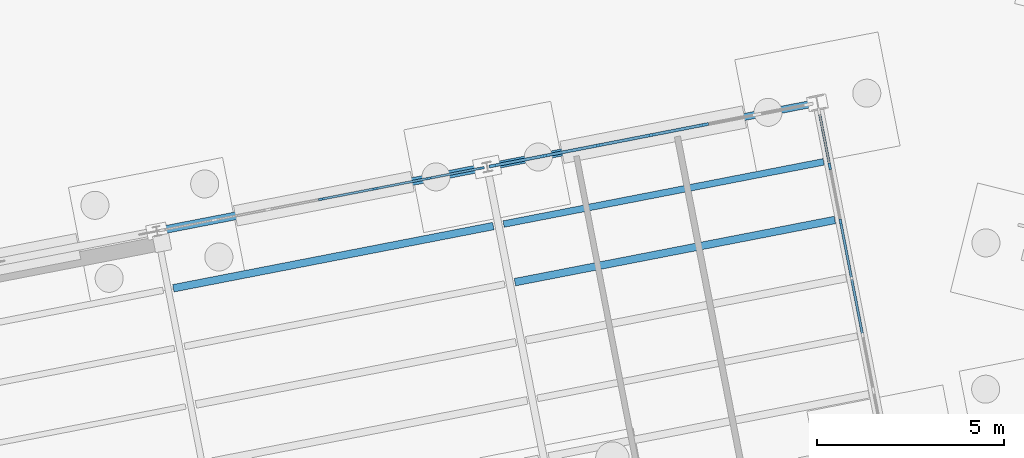
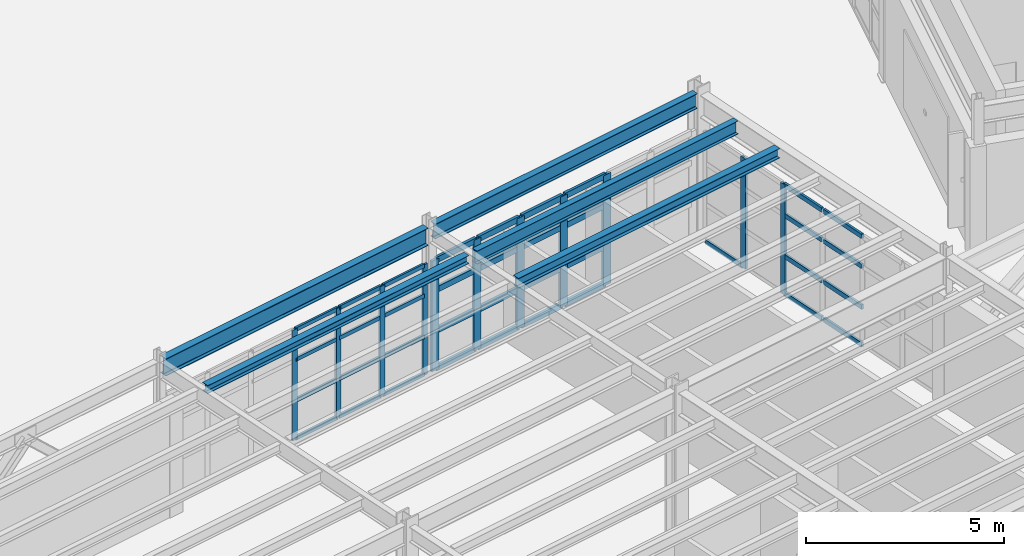
# One storey, part 38 of 108: 48 members, 5 beams, 3 elements without a shape of their own.
"""IFC4 building model written with IfcOpenShell, lengths in metres."""

from ifc_helpers import new_model, si_unit, direction, frame, origin, origin_2d, place, context, subcontext, project, spatial, rectangle, i_section, extrude, material, layer, layer_set, material_profile, profile_set, type_object, element, aggregate, save


model = new_model("IFC4")

# Units and contexts
model_context = context("Model", 3, precision=1e-05, world=origin(), true_north=direction((0.0, 1.0)))
body_context = subcontext(model_context, "Body", "Model", "MODEL_VIEW")
ifc_project = project(units=[si_unit("LENGTHUNIT", "METRE"), si_unit("AREAUNIT", "SQUARE_METRE"), si_unit("VOLUMEUNIT", "CUBIC_METRE"), si_unit("PLANEANGLEUNIT", "RADIAN"), si_unit("MASSUNIT", "GRAM", prefix="KILO")], contexts=[model_context])

# Site, building, storey
site_placement = place(None, origin())
site = spatial("IfcSite", under=ifc_project, at=site_placement, CompositionType="ELEMENT")
building_placement = place(site_placement, origin())
building = spatial("IfcBuilding", under=site, at=building_placement, Name="Vireo Bluff Cable Station", CompositionType="ELEMENT")
storey_placement = place(building_placement, origin())
storey = spatial("IfcBuildingStorey", under=building, at=storey_placement, Name="L00", CompositionType="ELEMENT", Elevation=0.0)

# Curtain wall, members
ifc_material_1 = material(Name="Anodized Aluminium 6063-T6", Category="aluminium")
ifc_layer_1 = layer(ifc_material_1, 0.179931640625, Name="Anodized Aluminium 6063-T6")
ifc_layer_set_1 = layer_set([ifc_layer_1], Name="Anodized Aluminium 6063-T6")
curtain_wall_type_1 = type_object("IfcCurtainWallType", Name="CW-UNIT-1650", PredefinedType="USERDEFINED", material=ifc_layer_set_1)
curtain_wall_1_placement = place(storey_placement, origin())
curtain_wall_1 = element("IfcCurtainWall", 1, at=curtain_wall_1_placement, inside=storey, type_object=curtain_wall_type_1, Name="V5 L00 east curtain wall CW-116", ObjectType="UNITISED CURTAIN WALL", PredefinedType="USERDEFINED")
ifc_material_profile_1 = material_profile(ifc_material_1, rectangle(XDim=0.06494140625, YDim=0.179931640625, at=origin_2d()), Name="ALU-M-65X180")
ifc_profile_set_1 = profile_set([ifc_material_profile_1], Name="Anodized Aluminium 6063-T6")
member_type_1 = type_object("IfcMemberType", Name="CWM-01", PredefinedType="MULLION", material=ifc_profile_set_1)
member_1_placement = place(storey_placement, frame((48.565185546875, 40.364990234375, 0.0), z_axis=(0.0, 0.0, 1.0), x_axis=(0.981627180714, 0.190809009442, 0.0)))
member_1 = element("IfcMember", 2, at=member_1_placement, type_object=member_type_1, Name="CW-116 mullion 2", PredefinedType="MULLION", context=body_context, shape_type="SweptSolid", body=[
    extrude(rectangle(XDim=0.06494140625, YDim=0.179931640625, at=origin_2d()), origin(), (0.0, 0.0, 1.0), 3.39990234375),
])
member_2_placement = place(storey_placement, frame((48.856689453125, 38.865234375, 0.0), z_axis=(0.0, 0.0, 1.0), x_axis=(0.981627180714, 0.190809009442, 0.0)))
member_2 = element("IfcMember", 3, at=member_2_placement, type_object=member_type_1, Name="CW-116 mullion 3", PredefinedType="MULLION", context=body_context, shape_type="SweptSolid", body=[
    extrude(rectangle(XDim=0.06494140625, YDim=0.179931640625, at=origin_2d()), origin(), (0.0, 0.0, 1.0), 3.39990234375),
])

ifc_layer_2 = layer(ifc_material_1, 0.179931640625, Name="Anodized Aluminium 6063-T6")
ifc_layer_set_2 = layer_set([ifc_layer_2], Name="Anodized Aluminium 6063-T6")
curtain_wall_type_2 = type_object("IfcCurtainWallType", Name="CW-UNIT-1400", PredefinedType="USERDEFINED", material=ifc_layer_set_2)
curtain_wall_2_placement = place(storey_placement, origin())
curtain_wall_2 = element("IfcCurtainWall", 4, at=curtain_wall_2_placement, inside=storey, type_object=curtain_wall_type_2, Name="V5 L00 north curtain wall CW-114", ObjectType="UNITISED CURTAIN WALL", PredefinedType="USERDEFINED")
ifc_material_profile_2 = material_profile(ifc_material_1, rectangle(XDim=0.06005859375, YDim=0.159912109375, at=origin_2d()), Name="ALU-M-60X160")
ifc_profile_set_2 = profile_set([ifc_material_profile_2], Name="Anodized Aluminium 6063-T6")
member_type_2 = type_object("IfcMemberType", Name="CWM-03", PredefinedType="MULLION", material=ifc_profile_set_2)
member_3_placement = place(storey_placement, frame((34.97021484375, 39.484375, 0.0), z_axis=(0.0, 0.0, 1.0), x_axis=(-0.190808969643, 0.98162718845, 0.0)))
member_3 = element("IfcMember", 5, at=member_3_placement, type_object=member_type_2, Name="CW-114 mullion 4", PredefinedType="MULLION", context=body_context, shape_type="SweptSolid", body=[
    extrude(rectangle(XDim=0.06005859375, YDim=0.159912109375, at=origin_2d()), origin(), (0.0, 0.0, 1.0), 3.39990234375),
])
member_4_placement = place(storey_placement, frame((36.404296875, 39.76318359375, 0.0), z_axis=(0.0, 0.0, 1.0), x_axis=(-0.190808969643, 0.98162718845, 0.0)))
member_4 = element("IfcMember", 6, at=member_4_placement, type_object=member_type_2, Name="CW-114 mullion 5", PredefinedType="MULLION", context=body_context, shape_type="SweptSolid", body=[
    extrude(rectangle(XDim=0.06005859375, YDim=0.159912109375, at=origin_2d()), origin(), (0.0, 0.0, 1.0), 3.39990234375),
])
member_5_placement = place(storey_placement, frame((37.83837890625, 40.041748046875, 0.0), z_axis=(0.0, 0.0, 1.0), x_axis=(-0.190808969643, 0.98162718845, 0.0)))
member_5 = element("IfcMember", 7, at=member_5_placement, type_object=member_type_2, Name="CW-114 mullion 6", PredefinedType="MULLION", context=body_context, shape_type="SweptSolid", body=[
    extrude(rectangle(XDim=0.06005859375, YDim=0.159912109375, at=origin_2d()), origin(), (0.0, 0.0, 1.0), 3.39990234375),
])
member_6_placement = place(storey_placement, frame((39.242919921875, 40.31494140625, 0.0), z_axis=(0.0, 0.0, 1.0), x_axis=(-0.190808969643, 0.98162718845, 0.0)))
member_6 = element("IfcMember", 8, at=member_6_placement, type_object=member_type_2, Name="CW-114 mullion 7", PredefinedType="MULLION", context=body_context, shape_type="SweptSolid", body=[
    extrude(rectangle(XDim=0.06005859375, YDim=0.159912109375, at=origin_2d()), origin(), (0.0, 0.0, 1.0), 3.39990234375),
])

ifc_layer_3 = layer(ifc_material_1, 0.179931640625, Name="Anodized Aluminium 6063-T6")
ifc_layer_set_3 = layer_set([ifc_layer_3], Name="Anodized Aluminium 6063-T6")
curtain_wall_type_3 = type_object("IfcCurtainWallType", Name="CW-UNIT-1500", PredefinedType="USERDEFINED", material=ifc_layer_set_3)
curtain_wall_3_placement = place(storey_placement, origin())
curtain_wall_3 = element("IfcCurtainWall", 9, at=curtain_wall_3_placement, inside=storey, type_object=curtain_wall_type_3, Name="V5 L00 north curtain wall CW-115", ObjectType="UNITISED CURTAIN WALL", PredefinedType="USERDEFINED")
ifc_material_profile_3 = material_profile(ifc_material_1, rectangle(XDim=0.080078125, YDim=0.239990234375, at=origin_2d()), Name="ALU-M-80X240")
ifc_profile_set_3 = profile_set([ifc_material_profile_3], Name="Anodized Aluminium 6063-T6")
member_type_3 = type_object("IfcMemberType", Name="CWM-04", PredefinedType="MULLION", material=ifc_profile_set_3)
member_7_placement = place(storey_placement, frame((39.56787109375, 40.3779296875, 0.0), z_axis=(0.0, 0.0, 1.0), x_axis=(-0.190809061234, 0.981627170646, 0.0)))
member_7 = element("IfcMember", 10, at=member_7_placement, type_object=member_type_3, Name="CW-115 mullion 1", PredefinedType="MULLION", context=body_context, shape_type="SweptSolid", body=[
    extrude(rectangle(XDim=0.080078125, YDim=0.239990234375, at=origin_2d()), origin(), (0.0, 0.0, 1.0), 3.39990234375),
])
member_8_placement = place(storey_placement, frame((40.946533203125, 40.64599609375, 0.0), z_axis=(0.0, 0.0, 1.0), x_axis=(-0.190809061234, 0.981627170646, 0.0)))
member_8 = element("IfcMember", 11, at=member_8_placement, type_object=member_type_3, Name="CW-115 mullion 2", PredefinedType="MULLION", context=body_context, shape_type="SweptSolid", body=[
    extrude(rectangle(XDim=0.080078125, YDim=0.239990234375, at=origin_2d()), origin(), (0.0, 0.0, 1.0), 3.39990234375),
])
member_9_placement = place(storey_placement, frame((42.364501953125, 40.921630859375, 0.0), z_axis=(0.0, 0.0, 1.0), x_axis=(-0.190809061234, 0.981627170646, 0.0)))
member_9 = element("IfcMember", 12, at=member_9_placement, type_object=member_type_3, Name="CW-115 mullion 3", PredefinedType="MULLION", context=body_context, shape_type="SweptSolid", body=[
    extrude(rectangle(XDim=0.080078125, YDim=0.239990234375, at=origin_2d()), origin(), (0.0, 0.0, 1.0), 3.39990234375),
])
member_10_placement = place(storey_placement, frame((43.782470703125, 41.197265625, 0.0), z_axis=(0.0, 0.0, 1.0), x_axis=(-0.190809061234, 0.981627170646, 0.0)))
member_10 = element("IfcMember", 13, at=member_10_placement, type_object=member_type_3, Name="CW-115 mullion 4", PredefinedType="MULLION", context=body_context, shape_type="SweptSolid", body=[
    extrude(rectangle(XDim=0.080078125, YDim=0.239990234375, at=origin_2d()), origin(), (0.0, 0.0, 1.0), 3.39990234375),
])
member_11_placement = place(storey_placement, frame((45.200439453125, 41.472900390625, 0.0), z_axis=(0.0, 0.0, 1.0), x_axis=(-0.190809061234, 0.981627170646, 0.0)))
member_11 = element("IfcMember", 14, at=member_11_placement, type_object=member_type_3, Name="CW-115 mullion 5", PredefinedType="MULLION", context=body_context, shape_type="SweptSolid", body=[
    extrude(rectangle(XDim=0.080078125, YDim=0.239990234375, at=origin_2d()), origin(), (0.0, 0.0, 1.0), 3.39990234375),
])

# Member
ifc_material_profile_4 = material_profile(ifc_material_1, rectangle(XDim=0.06494140625, YDim=0.139892578125, at=origin_2d()), Name="ALU-T-65X140")
ifc_profile_set_4 = profile_set([ifc_material_profile_4], Name="Anodized Aluminium 6063-T6")
member_type_4 = type_object("IfcMemberType", Name="CWT-01", PredefinedType="USERDEFINED", material=ifc_profile_set_4)
member_12_placement = place(storey_placement, frame((48.2861328125, 41.80126953125, 0.032470703125), z_axis=(0.190796573453, -0.981629597943, 0.0), x_axis=(0.981629597943, 0.190796573453, 0.0)))
member_12 = element("IfcMember", 15, at=member_12_placement, type_object=member_type_4, Name="CW-116 transom 1.1", ObjectType="TRANSOM", PredefinedType="USERDEFINED", context=body_context, shape_type="SweptSolid", body=[
    extrude(rectangle(XDim=0.06494140625, YDim=0.139892578125, at=origin_2d()), origin(), (0.0, 0.0, 1.0), 1.4306640625),
])

member_13_placement = place(storey_placement, frame((48.863037109375, 38.833251953125, 0.032470703125), z_axis=(0.190753518283, -0.981637965475, 0.0), x_axis=(0.981637965475, 0.190753518283, 0.0)))
member_13 = element("IfcMember", 16, at=member_13_placement, type_object=member_type_4, Name="CW-116 transom 3.1", ObjectType="TRANSOM", PredefinedType="USERDEFINED", context=body_context, shape_type="SweptSolid", body=[
    extrude(rectangle(XDim=0.06494140625, YDim=0.139892578125, at=origin_2d()), origin(), (0.0, 0.0, 1.0), 1.462890625),
])

member_14_placement = place(storey_placement, frame((48.863037109375, 38.833251953125, 1.18994140625), z_axis=(0.190753518283, -0.981637965475, 0.0), x_axis=(0.981637965475, 0.190753518283, 0.0)))
member_14 = element("IfcMember", 17, at=member_14_placement, type_object=member_type_4, Name="CW-116 transom 3.2", ObjectType="TRANSOM", PredefinedType="USERDEFINED", context=body_context, shape_type="SweptSolid", body=[
    extrude(rectangle(XDim=0.06494140625, YDim=0.139892578125, at=origin_2d()), origin(), (0.0, 0.0, 1.0), 1.462890625),
])

member_15_placement = place(storey_placement, frame((48.863037109375, 38.833251953125, 2.447998046875), z_axis=(0.190753518283, -0.981637965475, 0.0), x_axis=(0.981637965475, 0.190753518283, 0.0)))
member_15 = element("IfcMember", 18, at=member_15_placement, type_object=member_type_4, Name="CW-116 transom 3.3", ObjectType="TRANSOM", PredefinedType="USERDEFINED", context=body_context, shape_type="SweptSolid", body=[
    extrude(rectangle(XDim=0.06494140625, YDim=0.139892578125, at=origin_2d()), origin(), (0.0, 0.0, 1.0), 1.462890625),
])

member_16_placement = place(storey_placement, frame((48.863037109375, 38.833251953125, 3.367431640625), z_axis=(0.190753518283, -0.981637965475, 0.0), x_axis=(0.981637965475, 0.190753518283, 0.0)))
member_16 = element("IfcMember", 19, at=member_16_placement, type_object=member_type_4, Name="CW-116 transom 3.4", ObjectType="TRANSOM", PredefinedType="USERDEFINED", context=body_context, shape_type="SweptSolid", body=[
    extrude(rectangle(XDim=0.06494140625, YDim=0.139892578125, at=origin_2d()), origin(), (0.0, 0.0, 1.0), 1.462890625),
])

member_17_placement = place(storey_placement, frame((49.154541015625, 37.333251953125, 0.032470703125), z_axis=(0.190753518283, -0.981637965475, 0.0), x_axis=(0.981637965475, 0.190753518283, 0.0)))
member_17 = element("IfcMember", 20, at=member_17_placement, type_object=member_type_4, Name="CW-116 transom 4.1", ObjectType="TRANSOM", PredefinedType="USERDEFINED", context=body_context, shape_type="SweptSolid", body=[
    extrude(rectangle(XDim=0.06494140625, YDim=0.139892578125, at=origin_2d()), origin(), (0.0, 0.0, 1.0), 1.462890625),
])

member_18_placement = place(storey_placement, frame((49.154541015625, 37.333251953125, 1.18994140625), z_axis=(0.190753518283, -0.981637965475, 0.0), x_axis=(0.981637965475, 0.190753518283, 0.0)))
member_18 = element("IfcMember", 21, at=member_18_placement, type_object=member_type_4, Name="CW-116 transom 4.2", ObjectType="TRANSOM", PredefinedType="USERDEFINED", context=body_context, shape_type="SweptSolid", body=[
    extrude(rectangle(XDim=0.06494140625, YDim=0.139892578125, at=origin_2d()), origin(), (0.0, 0.0, 1.0), 1.462890625),
])

member_19_placement = place(storey_placement, frame((49.154541015625, 37.333251953125, 2.447998046875), z_axis=(0.190753518283, -0.981637965475, 0.0), x_axis=(0.981637965475, 0.190753518283, 0.0)))
member_19 = element("IfcMember", 22, at=member_19_placement, type_object=member_type_4, Name="CW-116 transom 4.3", ObjectType="TRANSOM", PredefinedType="USERDEFINED", context=body_context, shape_type="SweptSolid", body=[
    extrude(rectangle(XDim=0.06494140625, YDim=0.139892578125, at=origin_2d()), origin(), (0.0, 0.0, 1.0), 1.462890625),
])

member_20_placement = place(storey_placement, frame((49.154541015625, 37.333251953125, 3.367431640625), z_axis=(0.190753518283, -0.981637965475, 0.0), x_axis=(0.981637965475, 0.190753518283, 0.0)))
member_20 = element("IfcMember", 23, at=member_20_placement, type_object=member_type_4, Name="CW-116 transom 4.4", ObjectType="TRANSOM", PredefinedType="USERDEFINED", context=body_context, shape_type="SweptSolid", body=[
    extrude(rectangle(XDim=0.06494140625, YDim=0.139892578125, at=origin_2d()), origin(), (0.0, 0.0, 1.0), 1.462890625),
])

aggregate(curtain_wall_1, [member_1, member_2, member_12, member_13, member_14, member_15, member_16, member_17, member_18, member_19, member_20])

ifc_material_profile_5 = material_profile(ifc_material_1, rectangle(XDim=0.06005859375, YDim=0.1201171875, at=origin_2d()), Name="ALU-T-60X120")
ifc_profile_set_5 = profile_set([ifc_material_profile_5], Name="Anodized Aluminium 6063-T6")
member_type_5 = type_object("IfcMemberType", Name="CWT-03", PredefinedType="USERDEFINED", material=ifc_profile_set_5)
member_21_placement = place(storey_placement, frame((34.999755859375, 39.489990234375, 0.030029296875), z_axis=(0.981619017899, 0.190850998686, 0.0), x_axis=(-0.190850998686, 0.981619017899, 0.0)))
member_21 = element("IfcMember", 24, at=member_21_placement, type_object=member_type_5, Name="CW-114 transom 4.1", ObjectType="TRANSOM", PredefinedType="USERDEFINED", context=body_context, shape_type="SweptSolid", body=[
    extrude(rectangle(XDim=0.06005859375, YDim=0.1201171875, at=origin_2d()), origin(), (0.0, 0.0, 1.0), 1.400634765625),
])

member_22_placement = place(storey_placement, frame((34.999755859375, 39.489990234375, 1.18994140625), z_axis=(0.981619017899, 0.190850998686, 0.0), x_axis=(-0.190850998686, 0.981619017899, 0.0)))
member_22 = element("IfcMember", 25, at=member_22_placement, type_object=member_type_5, Name="CW-114 transom 4.2", ObjectType="TRANSOM", PredefinedType="USERDEFINED", context=body_context, shape_type="SweptSolid", body=[
    extrude(rectangle(XDim=0.06005859375, YDim=0.1201171875, at=origin_2d()), origin(), (0.0, 0.0, 1.0), 1.400634765625),
])

member_23_placement = place(storey_placement, frame((34.999755859375, 39.489990234375, 2.447998046875), z_axis=(0.981619017899, 0.190850998686, 0.0), x_axis=(-0.190850998686, 0.981619017899, 0.0)))
member_23 = element("IfcMember", 26, at=member_23_placement, type_object=member_type_5, Name="CW-114 transom 4.3", ObjectType="TRANSOM", PredefinedType="USERDEFINED", context=body_context, shape_type="SweptSolid", body=[
    extrude(rectangle(XDim=0.06005859375, YDim=0.1201171875, at=origin_2d()), origin(), (0.0, 0.0, 1.0), 1.400634765625),
])

member_24_placement = place(storey_placement, frame((34.999755859375, 39.489990234375, 3.3701171875), z_axis=(0.981619017899, 0.190850998686, 0.0), x_axis=(-0.190850998686, 0.981619017899, 0.0)))
member_24 = element("IfcMember", 27, at=member_24_placement, type_object=member_type_5, Name="CW-114 transom 4.4", ObjectType="TRANSOM", PredefinedType="USERDEFINED", context=body_context, shape_type="SweptSolid", body=[
    extrude(rectangle(XDim=0.06005859375, YDim=0.1201171875, at=origin_2d()), origin(), (0.0, 0.0, 1.0), 1.400634765625),
])

member_25_placement = place(storey_placement, frame((36.433837890625, 39.768798828125, 0.030029296875), z_axis=(0.981619017899, 0.190850998686, 0.0), x_axis=(-0.190850998686, 0.981619017899, 0.0)))
member_25 = element("IfcMember", 28, at=member_25_placement, type_object=member_type_5, Name="CW-114 transom 5.1", ObjectType="TRANSOM", PredefinedType="USERDEFINED", context=body_context, shape_type="SweptSolid", body=[
    extrude(rectangle(XDim=0.06005859375, YDim=0.1201171875, at=origin_2d()), origin(), (0.0, 0.0, 1.0), 1.400634765625),
])

member_26_placement = place(storey_placement, frame((36.433837890625, 39.768798828125, 1.18994140625), z_axis=(0.981619017899, 0.190850998686, 0.0), x_axis=(-0.190850998686, 0.981619017899, 0.0)))
member_26 = element("IfcMember", 29, at=member_26_placement, type_object=member_type_5, Name="CW-114 transom 5.2", ObjectType="TRANSOM", PredefinedType="USERDEFINED", context=body_context, shape_type="SweptSolid", body=[
    extrude(rectangle(XDim=0.06005859375, YDim=0.1201171875, at=origin_2d()), origin(), (0.0, 0.0, 1.0), 1.400634765625),
])

member_27_placement = place(storey_placement, frame((36.433837890625, 39.768798828125, 2.447998046875), z_axis=(0.981619017899, 0.190850998686, 0.0), x_axis=(-0.190850998686, 0.981619017899, 0.0)))
member_27 = element("IfcMember", 30, at=member_27_placement, type_object=member_type_5, Name="CW-114 transom 5.3", ObjectType="TRANSOM", PredefinedType="USERDEFINED", context=body_context, shape_type="SweptSolid", body=[
    extrude(rectangle(XDim=0.06005859375, YDim=0.1201171875, at=origin_2d()), origin(), (0.0, 0.0, 1.0), 1.400634765625),
])

member_28_placement = place(storey_placement, frame((36.433837890625, 39.768798828125, 3.3701171875), z_axis=(0.981619017899, 0.190850998686, 0.0), x_axis=(-0.190850998686, 0.981619017899, 0.0)))
member_28 = element("IfcMember", 31, at=member_28_placement, type_object=member_type_5, Name="CW-114 transom 5.4", ObjectType="TRANSOM", PredefinedType="USERDEFINED", context=body_context, shape_type="SweptSolid", body=[
    extrude(rectangle(XDim=0.06005859375, YDim=0.1201171875, at=origin_2d()), origin(), (0.0, 0.0, 1.0), 1.400634765625),
])

member_29_placement = place(storey_placement, frame((37.86767578125, 40.047607421875, 0.030029296875), z_axis=(0.981647810317, 0.190702848694, 0.0), x_axis=(-0.190702848694, 0.981647810317, 0.0)))
member_29 = element("IfcMember", 32, at=member_29_placement, type_object=member_type_5, Name="CW-114 transom 6.1", ObjectType="TRANSOM", PredefinedType="USERDEFINED", context=body_context, shape_type="SweptSolid", body=[
    extrude(rectangle(XDim=0.06005859375, YDim=0.1201171875, at=origin_2d()), origin(), (0.0, 0.0, 1.0), 1.37109375),
])

member_30_placement = place(storey_placement, frame((37.86767578125, 40.047607421875, 1.18994140625), z_axis=(0.981647810317, 0.190702848694, 0.0), x_axis=(-0.190702848694, 0.981647810317, 0.0)))
member_30 = element("IfcMember", 33, at=member_30_placement, type_object=member_type_5, Name="CW-114 transom 6.2", ObjectType="TRANSOM", PredefinedType="USERDEFINED", context=body_context, shape_type="SweptSolid", body=[
    extrude(rectangle(XDim=0.06005859375, YDim=0.1201171875, at=origin_2d()), origin(), (0.0, 0.0, 1.0), 1.37109375),
])

member_31_placement = place(storey_placement, frame((37.86767578125, 40.047607421875, 2.447998046875), z_axis=(0.981647810317, 0.190702848694, 0.0), x_axis=(-0.190702848694, 0.981647810317, 0.0)))
member_31 = element("IfcMember", 34, at=member_31_placement, type_object=member_type_5, Name="CW-114 transom 6.3", ObjectType="TRANSOM", PredefinedType="USERDEFINED", context=body_context, shape_type="SweptSolid", body=[
    extrude(rectangle(XDim=0.06005859375, YDim=0.1201171875, at=origin_2d()), origin(), (0.0, 0.0, 1.0), 1.37109375),
])

member_32_placement = place(storey_placement, frame((37.86767578125, 40.047607421875, 3.3701171875), z_axis=(0.981647810317, 0.190702848694, 0.0), x_axis=(-0.190702848694, 0.981647810317, 0.0)))
member_32 = element("IfcMember", 35, at=member_32_placement, type_object=member_type_5, Name="CW-114 transom 6.4", ObjectType="TRANSOM", PredefinedType="USERDEFINED", context=body_context, shape_type="SweptSolid", body=[
    extrude(rectangle(XDim=0.06005859375, YDim=0.1201171875, at=origin_2d()), origin(), (0.0, 0.0, 1.0), 1.37109375),
])

aggregate(curtain_wall_2, [member_3, member_4, member_5, member_6, member_21, member_22, member_23, member_24, member_25, member_26, member_27, member_28, member_29, member_30, member_31, member_32])

ifc_material_profile_6 = material_profile(ifc_material_1, rectangle(XDim=0.080078125, YDim=0.175048828125, at=origin_2d()), Name="ALU-T-80X175")
ifc_profile_set_6 = profile_set([ifc_material_profile_6], Name="Anodized Aluminium 6063-T6")
member_type_6 = type_object("IfcMemberType", Name="CWT-04", PredefinedType="USERDEFINED", material=ifc_profile_set_6)
member_33_placement = place(storey_placement, frame((39.607177734375, 40.3857421875, 0.0400390625), z_axis=(0.981629778016, 0.190795646995, 0.0), x_axis=(-0.190795646995, 0.981629778016, 0.0)))
member_33 = element("IfcMember", 36, at=member_33_placement, type_object=member_type_6, Name="CW-115 transom 1.1", ObjectType="TRANSOM", PredefinedType="USERDEFINED", context=body_context, shape_type="SweptSolid", body=[
    extrude(rectangle(XDim=0.080078125, YDim=0.175048828125, at=origin_2d()), origin(), (0.0, 0.0, 1.0), 1.324462890625),
])

member_34_placement = place(storey_placement, frame((39.607177734375, 40.3857421875, 1.18994140625), z_axis=(0.981629778016, 0.190795646995, 0.0), x_axis=(-0.190795646995, 0.981629778016, 0.0)))
member_34 = element("IfcMember", 37, at=member_34_placement, type_object=member_type_6, Name="CW-115 transom 1.2", ObjectType="TRANSOM", PredefinedType="USERDEFINED", context=body_context, shape_type="SweptSolid", body=[
    extrude(rectangle(XDim=0.080078125, YDim=0.175048828125, at=origin_2d()), origin(), (0.0, 0.0, 1.0), 1.324462890625),
])

member_35_placement = place(storey_placement, frame((39.607177734375, 40.3857421875, 2.447998046875), z_axis=(0.981629778016, 0.190795646995, 0.0), x_axis=(-0.190795646995, 0.981629778016, 0.0)))
member_35 = element("IfcMember", 38, at=member_35_placement, type_object=member_type_6, Name="CW-115 transom 1.3", ObjectType="TRANSOM", PredefinedType="USERDEFINED", context=body_context, shape_type="SweptSolid", body=[
    extrude(rectangle(XDim=0.080078125, YDim=0.175048828125, at=origin_2d()), origin(), (0.0, 0.0, 1.0), 1.324462890625),
])

member_36_placement = place(storey_placement, frame((39.607177734375, 40.3857421875, 3.360107421875), z_axis=(0.981629778016, 0.190795646995, 0.0), x_axis=(-0.190795646995, 0.981629778016, 0.0)))
member_36 = element("IfcMember", 39, at=member_36_placement, type_object=member_type_6, Name="CW-115 transom 1.4", ObjectType="TRANSOM", PredefinedType="USERDEFINED", context=body_context, shape_type="SweptSolid", body=[
    extrude(rectangle(XDim=0.080078125, YDim=0.175048828125, at=origin_2d()), origin(), (0.0, 0.0, 1.0), 1.324462890625),
])

member_37_placement = place(storey_placement, frame((40.98583984375, 40.653564453125, 0.0400390625), z_axis=(0.981606076195, 0.190917550729, 0.0), x_axis=(-0.190917550729, 0.981606076195, 0.0)))
member_37 = element("IfcMember", 40, at=member_37_placement, type_object=member_type_6, Name="CW-115 transom 2.1", ObjectType="TRANSOM", PredefinedType="USERDEFINED", context=body_context, shape_type="SweptSolid", body=[
    extrude(rectangle(XDim=0.080078125, YDim=0.175048828125, at=origin_2d()), origin(), (0.0, 0.0, 1.0), 1.364501953125),
])

member_38_placement = place(storey_placement, frame((40.98583984375, 40.653564453125, 1.18994140625), z_axis=(0.981606076195, 0.190917550729, 0.0), x_axis=(-0.190917550729, 0.981606076195, 0.0)))
member_38 = element("IfcMember", 41, at=member_38_placement, type_object=member_type_6, Name="CW-115 transom 2.2", ObjectType="TRANSOM", PredefinedType="USERDEFINED", context=body_context, shape_type="SweptSolid", body=[
    extrude(rectangle(XDim=0.080078125, YDim=0.175048828125, at=origin_2d()), origin(), (0.0, 0.0, 1.0), 1.364501953125),
])

member_39_placement = place(storey_placement, frame((40.98583984375, 40.653564453125, 2.447998046875), z_axis=(0.981606076195, 0.190917550729, 0.0), x_axis=(-0.190917550729, 0.981606076195, 0.0)))
member_39 = element("IfcMember", 42, at=member_39_placement, type_object=member_type_6, Name="CW-115 transom 2.3", ObjectType="TRANSOM", PredefinedType="USERDEFINED", context=body_context, shape_type="SweptSolid", body=[
    extrude(rectangle(XDim=0.080078125, YDim=0.175048828125, at=origin_2d()), origin(), (0.0, 0.0, 1.0), 1.364501953125),
])

member_40_placement = place(storey_placement, frame((40.98583984375, 40.653564453125, 3.360107421875), z_axis=(0.981606076195, 0.190917550729, 0.0), x_axis=(-0.190917550729, 0.981606076195, 0.0)))
member_40 = element("IfcMember", 43, at=member_40_placement, type_object=member_type_6, Name="CW-115 transom 2.4", ObjectType="TRANSOM", PredefinedType="USERDEFINED", context=body_context, shape_type="SweptSolid", body=[
    extrude(rectangle(XDim=0.080078125, YDim=0.175048828125, at=origin_2d()), origin(), (0.0, 0.0, 1.0), 1.364501953125),
])

member_41_placement = place(storey_placement, frame((42.40380859375, 40.92919921875, 0.0400390625), z_axis=(0.981606076195, 0.190917550729, 0.0), x_axis=(-0.190917550729, 0.981606076195, 0.0)))
member_41 = element("IfcMember", 44, at=member_41_placement, type_object=member_type_6, Name="CW-115 transom 3.1", ObjectType="TRANSOM", PredefinedType="USERDEFINED", context=body_context, shape_type="SweptSolid", body=[
    extrude(rectangle(XDim=0.080078125, YDim=0.175048828125, at=origin_2d()), origin(), (0.0, 0.0, 1.0), 1.364501953125),
])

member_42_placement = place(storey_placement, frame((42.40380859375, 40.92919921875, 1.18994140625), z_axis=(0.981606076195, 0.190917550729, 0.0), x_axis=(-0.190917550729, 0.981606076195, 0.0)))
member_42 = element("IfcMember", 45, at=member_42_placement, type_object=member_type_6, Name="CW-115 transom 3.2", ObjectType="TRANSOM", PredefinedType="USERDEFINED", context=body_context, shape_type="SweptSolid", body=[
    extrude(rectangle(XDim=0.080078125, YDim=0.175048828125, at=origin_2d()), origin(), (0.0, 0.0, 1.0), 1.364501953125),
])

member_43_placement = place(storey_placement, frame((42.40380859375, 40.92919921875, 2.447998046875), z_axis=(0.981606076195, 0.190917550729, 0.0), x_axis=(-0.190917550729, 0.981606076195, 0.0)))
member_43 = element("IfcMember", 46, at=member_43_placement, type_object=member_type_6, Name="CW-115 transom 3.3", ObjectType="TRANSOM", PredefinedType="USERDEFINED", context=body_context, shape_type="SweptSolid", body=[
    extrude(rectangle(XDim=0.080078125, YDim=0.175048828125, at=origin_2d()), origin(), (0.0, 0.0, 1.0), 1.364501953125),
])

member_44_placement = place(storey_placement, frame((42.40380859375, 40.92919921875, 3.360107421875), z_axis=(0.981606076195, 0.190917550729, 0.0), x_axis=(-0.190917550729, 0.981606076195, 0.0)))
member_44 = element("IfcMember", 47, at=member_44_placement, type_object=member_type_6, Name="CW-115 transom 3.4", ObjectType="TRANSOM", PredefinedType="USERDEFINED", context=body_context, shape_type="SweptSolid", body=[
    extrude(rectangle(XDim=0.080078125, YDim=0.175048828125, at=origin_2d()), origin(), (0.0, 0.0, 1.0), 1.364501953125),
])

member_45_placement = place(storey_placement, frame((43.82177734375, 41.204833984375, 0.0400390625), z_axis=(0.981606076195, 0.190917550729, 0.0), x_axis=(-0.190917550729, 0.981606076195, 0.0)))
member_45 = element("IfcMember", 48, at=member_45_placement, type_object=member_type_6, Name="CW-115 transom 4.1", ObjectType="TRANSOM", PredefinedType="USERDEFINED", context=body_context, shape_type="SweptSolid", body=[
    extrude(rectangle(XDim=0.080078125, YDim=0.175048828125, at=origin_2d()), origin(), (0.0, 0.0, 1.0), 1.364501953125),
])

member_46_placement = place(storey_placement, frame((43.82177734375, 41.204833984375, 1.18994140625), z_axis=(0.981606076195, 0.190917550729, 0.0), x_axis=(-0.190917550729, 0.981606076195, 0.0)))
member_46 = element("IfcMember", 49, at=member_46_placement, type_object=member_type_6, Name="CW-115 transom 4.2", ObjectType="TRANSOM", PredefinedType="USERDEFINED", context=body_context, shape_type="SweptSolid", body=[
    extrude(rectangle(XDim=0.080078125, YDim=0.175048828125, at=origin_2d()), origin(), (0.0, 0.0, 1.0), 1.364501953125),
])

member_47_placement = place(storey_placement, frame((43.82177734375, 41.204833984375, 2.447998046875), z_axis=(0.981606076195, 0.190917550729, 0.0), x_axis=(-0.190917550729, 0.981606076195, 0.0)))
member_47 = element("IfcMember", 50, at=member_47_placement, type_object=member_type_6, Name="CW-115 transom 4.3", ObjectType="TRANSOM", PredefinedType="USERDEFINED", context=body_context, shape_type="SweptSolid", body=[
    extrude(rectangle(XDim=0.080078125, YDim=0.175048828125, at=origin_2d()), origin(), (0.0, 0.0, 1.0), 1.364501953125),
])

member_48_placement = place(storey_placement, frame((43.82177734375, 41.204833984375, 3.360107421875), z_axis=(0.981606076195, 0.190917550729, 0.0), x_axis=(-0.190917550729, 0.981606076195, 0.0)))
member_48 = element("IfcMember", 51, at=member_48_placement, type_object=member_type_6, Name="CW-115 transom 4.4", ObjectType="TRANSOM", PredefinedType="USERDEFINED", context=body_context, shape_type="SweptSolid", body=[
    extrude(rectangle(XDim=0.080078125, YDim=0.175048828125, at=origin_2d()), origin(), (0.0, 0.0, 1.0), 1.364501953125),
])

aggregate(curtain_wall_3, [member_7, member_8, member_9, member_10, member_11, member_33, member_34, member_35, member_36, member_37, member_38, member_39, member_40, member_41, member_42, member_43, member_44, member_45, member_46, member_47, member_48])

# Beams
ifc_material_2 = material(Name="Steel ASTM A992 Gr. 50", Category="steel")
ifc_material_profile_7 = material_profile(ifc_material_2, i_section(OverallWidth=0.201904296875, OverallDepth=0.2470703125, WebThickness=0.00732421875, FlangeThickness=0.010986328125, FilletRadius=0.009033203125, at=origin_2d()), Name="W10X33")
ifc_profile_set_7 = profile_set([ifc_material_profile_7], Name="Steel ASTM A992 Gr. 50")
beam_type_1 = type_object("IfcBeamType", Name="JST-W10X33", PredefinedType="JOIST", material=ifc_profile_set_7)
beam_1_placement = place(storey_placement, frame((31.00537109375, 37.1005859375, 4.41650390625), z_axis=(0.98162282025, 0.190831440713, 0.0), x_axis=(-0.190831440713, 0.98162282025, 0.0)))
element("IfcBeam", 52, at=beam_1_placement, inside=storey, type_object=beam_type_1, Name="V5 L00 composite joist 1172", PredefinedType="JOIST", context=body_context, shape_type="SweptSolid", body=[
    extrude(i_section(OverallWidth=0.201904296875, OverallDepth=0.2470703125, WebThickness=0.00732421875, FlangeThickness=0.010986328125, FilletRadius=0.009033203125, at=origin_2d()), origin(), (0.0, 0.0, 1.0), 8.719970703125),
])
ifc_material_profile_8 = material_profile(ifc_material_2, i_section(OverallWidth=0.202880859375, OverallDepth=0.302978515625, WebThickness=0.007568359375, FlangeThickness=0.01318359375, FilletRadius=0.010009765625, at=origin_2d()), Name="W12X40")
ifc_profile_set_8 = profile_set([ifc_material_profile_8], Name="Steel ASTM A992 Gr. 50")
beam_type_2 = type_object("IfcBeamType", Name="JST-W12X40", PredefinedType="JOIST", material=ifc_profile_set_8)
beam_2_placement = place(storey_placement, frame((40.14208984375, 37.263671875, 4.388427734375), z_axis=(0.981628064538, 0.190804462503, 0.0), x_axis=(-0.190804462503, 0.981628064538, 0.0)))
element("IfcBeam", 53, at=beam_2_placement, inside=storey, type_object=beam_type_2, Name="V5 L00 composite joist 1193", PredefinedType="JOIST", context=body_context, shape_type="SweptSolid", body=[
    extrude(i_section(OverallWidth=0.202880859375, OverallDepth=0.302978515625, WebThickness=0.007568359375, FlangeThickness=0.01318359375, FilletRadius=0.010009765625, at=origin_2d()), origin(), (0.0, 0.0, 1.0), 8.719970703125),
])
ifc_material_profile_9 = material_profile(ifc_material_2, i_section(OverallWidth=0.177978515625, OverallDepth=0.404052734375, WebThickness=0.007568359375, FlangeThickness=0.010986328125, FilletRadius=0.010009765625, at=origin_2d()), Name="W16X36")
ifc_profile_set_9 = profile_set([ifc_material_profile_9], Name="Steel ASTM A992 Gr. 50")
beam_type_3 = type_object("IfcBeamType", Name="JST-W16X36", PredefinedType="JOIST", material=ifc_profile_set_9)
beam_3_placement = place(storey_placement, frame((39.840087890625, 38.81787109375, 4.337890625), z_axis=(0.98162282025, 0.190831440713, 0.0), x_axis=(-0.190831440713, 0.98162282025, 0.0)))
element("IfcBeam", 54, at=beam_3_placement, inside=storey, type_object=beam_type_3, Name="V5 L00 composite joist 1194", PredefinedType="JOIST", context=body_context, shape_type="SweptSolid", body=[
    extrude(i_section(OverallWidth=0.177978515625, OverallDepth=0.404052734375, WebThickness=0.007568359375, FlangeThickness=0.010986328125, FilletRadius=0.010009765625, at=origin_2d()), origin(), (0.0, 0.0, 1.0), 8.719970703125),
])
ifc_material_profile_10 = material_profile(ifc_material_2, i_section(OverallWidth=0.19091796875, OverallDepth=0.45703125, WebThickness=0.009033203125, FlangeThickness=0.014404296875, FilletRadius=0.011962890625, at=origin_2d()), Name="W18X50")
ifc_profile_set_10 = profile_set([ifc_material_profile_10], Name="Steel ASTM A992 Gr. 50")
beam_type_4 = type_object("IfcBeamType", Name="SPN-W18X50", PredefinedType="SPANDREL", material=ifc_profile_set_10)
beam_4_placement = place(storey_placement, frame((39.518310546875, 40.368408203125, 4.3115234375), z_axis=(0.981629601573, 0.190796554777, 0.0), x_axis=(-0.190796554777, 0.981629601573, 0.0)))
element("IfcBeam", 55, at=beam_4_placement, inside=storey, type_object=beam_type_4, Name="V5 L00 spandrel 1176", PredefinedType="SPANDREL", context=body_context, shape_type="SweptSolid", body=[
    extrude(i_section(OverallWidth=0.19091796875, OverallDepth=0.45703125, WebThickness=0.009033203125, FlangeThickness=0.014404296875, FilletRadius=0.011962890625, at=origin_2d()), origin(), (0.0, 0.0, 1.0), 8.760009765625),
])
ifc_material_profile_11 = material_profile(ifc_material_2, i_section(OverallWidth=0.2099609375, OverallDepth=0.535888671875, WebThickness=0.010986328125, FlangeThickness=0.017333984375, FilletRadius=0.012939453125, at=origin_2d()), Name="W21X68")
ifc_profile_set_11 = profile_set([ifc_material_profile_11], Name="Steel ASTM A992 Gr. 50")
beam_type_5 = type_object("IfcBeamType", Name="SPN-W21X68", PredefinedType="SPANDREL", material=ifc_profile_set_11)
beam_5_placement = place(storey_placement, frame((30.68359375, 38.651123046875, 4.27197265625), z_axis=(0.981629601573, 0.190796554777, 0.0), x_axis=(-0.190796554777, 0.981629601573, 0.0)))
element("IfcBeam", 56, at=beam_5_placement, inside=storey, type_object=beam_type_5, Name="V5 L00 spandrel 1105", PredefinedType="SPANDREL", context=body_context, shape_type="SweptSolid", body=[
    extrude(i_section(OverallWidth=0.2099609375, OverallDepth=0.535888671875, WebThickness=0.010986328125, FlangeThickness=0.017333984375, FilletRadius=0.012939453125, at=origin_2d()), origin(), (0.0, 0.0, 1.0), 8.760009765625),
])

save(model, "model.ifc")
